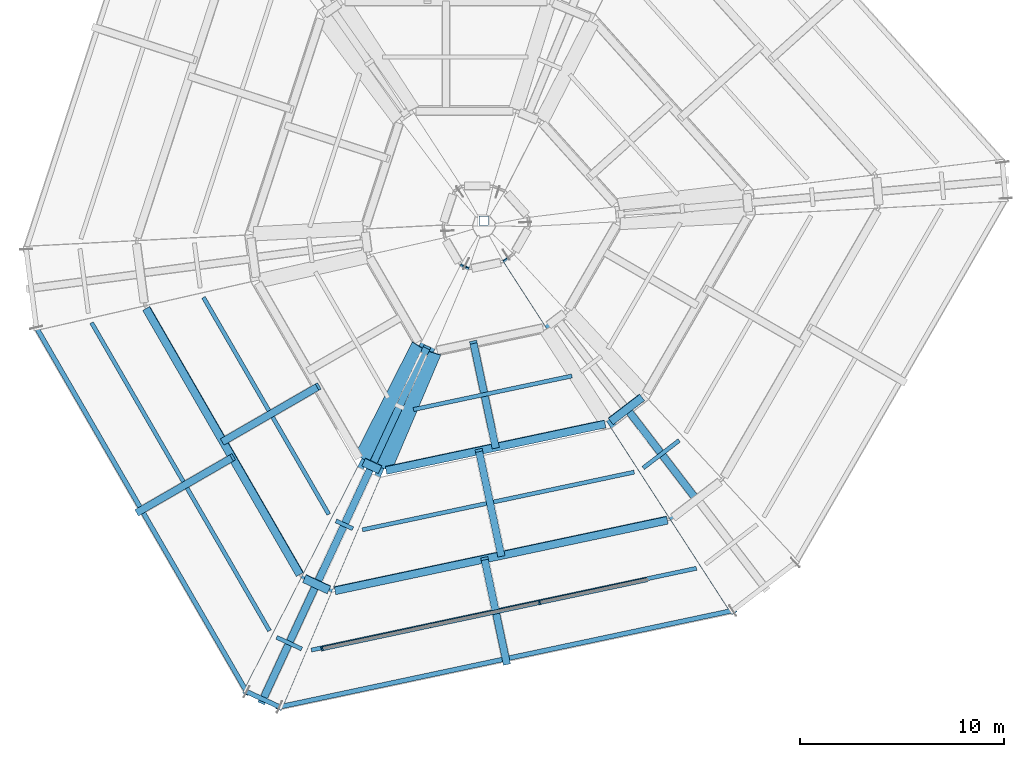
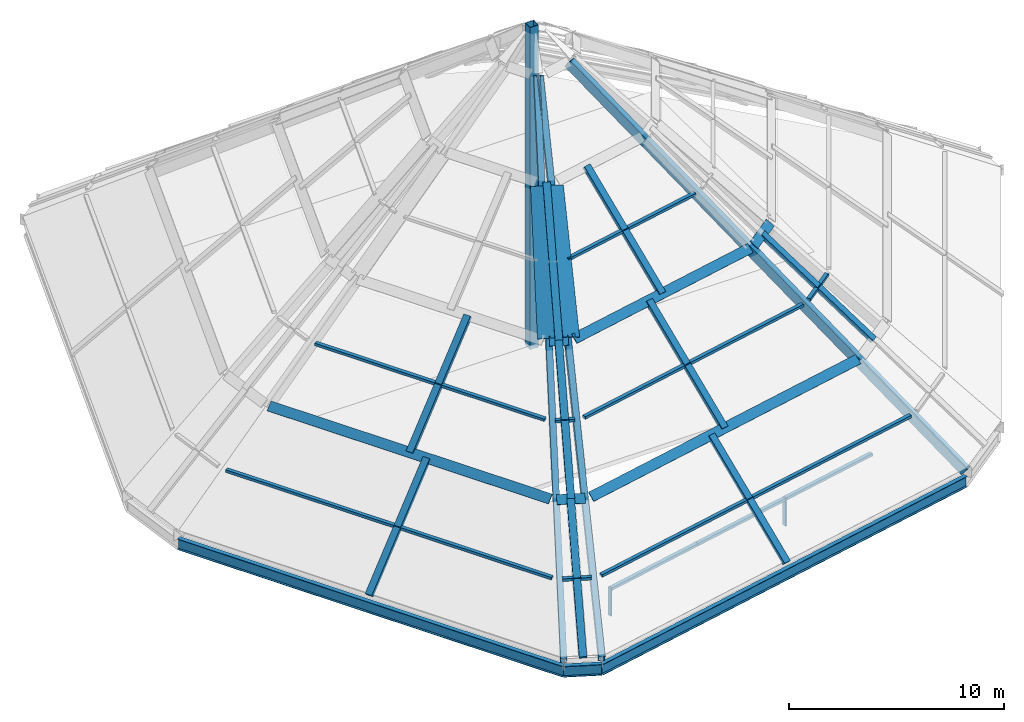
# One storey, part 1 of 10: 33 members, 3 beams, 1 column, 5 elements without a shape of their own.
"""IFC4 building model written with IfcOpenShell, lengths in metres."""

from ifc_helpers import new_model, si_unit, direction, frame, origin, origin_2d, place, context, subcontext, project, spatial, rectangle, hollow_rectangle, i_section, extrude, material, layer, layer_set, material_profile, profile_set, type_object, element, aggregate, save


model = new_model("IFC4")

# Units and contexts
model_context = context("Model", 3, precision=1e-05, world=origin(), true_north=direction((0.0, 1.0)))
body_context = subcontext(model_context, "Body", "Model", "MODEL_VIEW")
ifc_project = project(units=[si_unit("LENGTHUNIT", "METRE"), si_unit("AREAUNIT", "SQUARE_METRE"), si_unit("VOLUMEUNIT", "CUBIC_METRE"), si_unit("PLANEANGLEUNIT", "RADIAN"), si_unit("MASSUNIT", "GRAM", prefix="KILO")], contexts=[model_context])

# Site, building, storey
site_placement = place(None, origin())
site = spatial("IfcSite", under=ifc_project, at=site_placement, CompositionType="ELEMENT")
building_placement = place(site_placement, origin())
building = spatial("IfcBuilding", under=site, at=building_placement, Name="Isthmus Gate Tower", CompositionType="ELEMENT")
storey_placement = place(building_placement, frame((0.0, 0.0, 315.60009765625)))
storey = spatial("IfcBuildingStorey", under=building, at=storey_placement, Name="C4", CompositionType="ELEMENT", Elevation=315.60009765625)

# Column
ifc_material_1 = material(Name="Structural steel ASTM A500 Gr C", Category="steel")
ifc_material_profile_1 = material_profile(ifc_material_1, hollow_rectangle(XDim=0.457275390625, YDim=0.457275390625, WallThickness=0.017578125, at=origin_2d()), Name="HSS18X18X3/4")
ifc_profile_set_1 = profile_set([ifc_material_profile_1], Name="Structural steel ASTM A500 Gr C")
column_type = type_object("IfcColumnType", Name="CROWN MAST HSS18X18X3/4", PredefinedType="COLUMN", material=ifc_profile_set_1)
column_placement = place(storey_placement, frame((0.0, 0.25, -0.25), z_axis=(0.0, 0.0, 1.0), x_axis=(1.0, 0.0, 0.0)))
element("IfcColumn", 1, at=column_placement, inside=storey, type_object=column_type, Name="str-crownmast-C4-1", PredefinedType="COLUMN", context=body_context, shape_type="SweptSolid", body=[
    extrude(hollow_rectangle(XDim=0.457275390625, YDim=0.457275390625, WallThickness=0.017578125, at=origin_2d()), origin(), (0.0, 0.0, 1.0), 18.25),
])

# Beams
ifc_material_2 = material(Name="Structural steel ASTM A992 Gr 50", Category="steel")
ifc_material_profile_2 = material_profile(ifc_material_2, i_section(OverallWidth=0.231689453125, OverallDepth=0.615966796875, WebThickness=0.0126953125, FlangeThickness=0.022216796875, at=origin_2d()), Name="W24X94")
ifc_profile_set_2 = profile_set([ifc_material_profile_2], Name="Structural steel ASTM A992 Gr 50")
beam_type = type_object("IfcBeamType", Name="CROWN RING BEAM W24X94", PredefinedType="BEAM", material=ifc_profile_set_2)
beam_1_placement = place(storey_placement, frame((-21.949462890625, -4.982177734375, -0.55810546875), z_axis=(0.499996999955, -0.866027135854, 0.0), x_axis=(0.866027135854, 0.499996999955, 0.0)))
element("IfcBeam", 2, at=beam_1_placement, inside=storey, type_object=beam_type, Name="str-crownring-C4-04", PredefinedType="BEAM", context=body_context, shape_type="SweptSolid", body=[
    extrude(i_section(OverallWidth=0.231689453125, OverallDepth=0.615966796875, WebThickness=0.0126953125, FlangeThickness=0.022216796875, at=origin_2d()), origin(), (0.0, 0.0, 1.0), 20.629638671875),
])
beam_2_placement = place(storey_placement, frame((-11.634765625, -22.847900390625, -0.55810546875), z_axis=(0.907235278747, -0.420623524065, 0.0), x_axis=(0.420623524065, 0.907235278747, 0.0)))
element("IfcBeam", 3, at=beam_2_placement, inside=storey, type_object=beam_type, Name="str-crownring-C4-05", PredefinedType="BEAM", context=body_context, shape_type="SweptSolid", body=[
    extrude(i_section(OverallWidth=0.231689453125, OverallDepth=0.615966796875, WebThickness=0.0126953125, FlangeThickness=0.022216796875, at=origin_2d()), origin(), (0.0, 0.0, 1.0), 1.779541015625),
])
beam_3_placement = place(storey_placement, frame((-10.020263671875, -23.596435546875, -0.55810546875), z_axis=(0.978147166982, 0.207913731451, 0.0), x_axis=(-0.207913731451, 0.978147166982, 0.0)))
element("IfcBeam", 4, at=beam_3_placement, inside=storey, type_object=beam_type, Name="str-crownring-C4-06", PredefinedType="BEAM", context=body_context, shape_type="SweptSolid", body=[
    extrude(i_section(OverallWidth=0.231689453125, OverallDepth=0.615966796875, WebThickness=0.0126953125, FlangeThickness=0.022216796875, at=origin_2d()), origin(), (0.0, 0.0, 1.0), 22.732177734375),
])

# Curtain wall, members
ifc_material_3 = material(Name="Aluminium, pale champagne anodised", Category="aluminium")
ifc_layer_1 = layer(ifc_material_3, 0.199951171875)
ifc_layer_set_1 = layer_set([ifc_layer_1], Name="CW-4 ATRIUM CURTAIN WALL 200 DEEP")
curtain_wall_type_1 = type_object("IfcCurtainWallType", Name="CW-4 ATRIUM CURTAIN WALL 200 DEEP", PredefinedType="NOTDEFINED", material=ifc_layer_set_1)
curtain_wall_1_placement = place(storey_placement, origin())
curtain_wall_1 = element("IfcCurtainWall", 5, at=curtain_wall_1_placement, inside=storey, type_object=curtain_wall_type_1, Name="CW-4 atrium south C4", PredefinedType="NOTDEFINED")
ifc_material_4 = material(Name="Aluminium, pale champagne anodised", Category="aluminium")
ifc_material_profile_3 = material_profile(ifc_material_4, rectangle(XDim=0.080078125, YDim=0.199951171875, at=origin_2d()), Name="80x200")
ifc_profile_set_3 = profile_set([ifc_material_profile_3], Name="Aluminium, pale champagne anodised")
member_type_1 = type_object("IfcMemberType", Name="CW-4 MULLION 80 X 200", PredefinedType="MULLION", material=ifc_profile_set_3)
member_1_placement = place(storey_placement, frame((-7.9296875, -20.74951171875, 0.0), z_axis=(0.0, 0.0, 1.0), x_axis=(0.978147600734, 0.207911690818, 0.0)))
member_1 = element("IfcMember", 6, at=member_1_placement, type_object=member_type_1, Name="CW-4 mullion", PredefinedType="MULLION", context=body_context, shape_type="SweptSolid", body=[
    extrude(rectangle(XDim=0.080078125, YDim=0.199951171875, at=origin_2d()), origin(), (0.0, 0.0, 1.0), 1.5859375),
])
member_2_placement = place(storey_placement, frame((2.737060546875, -18.482177734375, 0.0), z_axis=(0.0, 0.0, 1.0), x_axis=(0.978147600734, 0.207911690818, 0.0)))
member_2 = element("IfcMember", 7, at=member_2_placement, type_object=member_type_1, Name="CW-4 mullion", PredefinedType="MULLION", context=body_context, shape_type="SweptSolid", body=[
    extrude(rectangle(XDim=0.080078125, YDim=0.199951171875, at=origin_2d()), origin(), (0.0, 0.0, 1.0), 1.5859375),
])
ifc_material_5 = material(Name="Aluminium, pale champagne anodised", Category="aluminium")
ifc_material_profile_4 = material_profile(ifc_material_5, rectangle(XDim=0.199951171875, YDim=0.14990234375, at=origin_2d()), Name="200x150")
ifc_profile_set_4 = profile_set([ifc_material_profile_4], Name="Aluminium, pale champagne anodised")
member_type_2 = type_object("IfcMemberType", Name="CW-4 TRANSOM 200 X 150", PredefinedType="USERDEFINED", material=ifc_profile_set_4)
member_3_placement = place(storey_placement, frame((-7.890625, -20.7412109375, 1.5107421875), z_axis=(0.978150188204, 0.207899517354, 0.0), x_axis=(-0.207899517354, 0.978150188204, 0.0)))
member_3 = element("IfcMember", 8, at=member_3_placement, type_object=member_type_2, Name="CW-4 transom", ObjectType="TRANSOM", PredefinedType="USERDEFINED", context=body_context, shape_type="SweptSolid", body=[
    extrude(rectangle(XDim=0.199951171875, YDim=0.14990234375, at=origin_2d()), origin(), (0.0, 0.0, 1.0), 5.37255859375),
])
member_4_placement = place(storey_placement, frame((-2.635498046875, -19.624267578125, 1.5107421875), z_axis=(0.9781412086, 0.207941761169, 0.0), x_axis=(-0.207941761169, 0.9781412086, 0.0)))
member_4 = element("IfcMember", 9, at=member_4_placement, type_object=member_type_2, Name="CW-4 transom", ObjectType="TRANSOM", PredefinedType="USERDEFINED", context=body_context, shape_type="SweptSolid", body=[
    extrude(rectangle(XDim=0.199951171875, YDim=0.14990234375, at=origin_2d()), origin(), (0.0, 0.0, 1.0), 5.452392578125),
])
member_5_placement = place(storey_placement, frame((2.776123046875, -18.473876953125, 1.5107421875), z_axis=(0.978150188204, 0.207899517354, 0.0), x_axis=(-0.207899517354, 0.978150188204, 0.0)))
member_5 = element("IfcMember", 10, at=member_5_placement, type_object=member_type_2, Name="CW-4 transom", ObjectType="TRANSOM", PredefinedType="USERDEFINED", context=body_context, shape_type="SweptSolid", body=[
    extrude(rectangle(XDim=0.199951171875, YDim=0.14990234375, at=origin_2d()), origin(), (0.0, 0.0, 1.0), 5.37255859375),
])
aggregate(curtain_wall_1, [member_1, member_3, member_4, member_2, member_5])

# Curtain wall, member
ifc_material_6 = material(Name="Aluminium, white powder-coated", Category="aluminium")
ifc_layer_2 = layer(ifc_material_6, 0.199951171875)
ifc_layer_set_2 = layer_set([ifc_layer_2], Name="CW-5 CROWN FACET CURTAIN WALL 200 DEEP")
curtain_wall_type_2 = type_object("IfcCurtainWallType", Name="CW-5 CROWN FACET CURTAIN WALL 200 DEEP", PredefinedType="NOTDEFINED", material=ifc_layer_set_2)
curtain_wall_2_placement = place(storey_placement, origin())
curtain_wall_2 = element("IfcCurtainWall", 11, at=curtain_wall_2_placement, inside=storey, type_object=curtain_wall_type_2, Name="CW-5 facet 6", PredefinedType="NOTDEFINED")
ifc_material_7 = material(Name="Aluminium, white powder-coated", Category="aluminium")
ifc_material_profile_5 = material_profile(ifc_material_7, rectangle(XDim=0.800048828125, YDim=0.0400390625, at=origin_2d()), Name="800x40")
ifc_profile_set_5 = profile_set([ifc_material_profile_5], Name="Aluminium, white powder-coated")
member_type_3 = type_object("IfcMemberType", Name="CW-5 HIP CAP 800 X 40", PredefinedType="USERDEFINED", material=ifc_profile_set_5)
placement_1 = place(building_placement, frame((0.0, 0.0, 324.60009765625)))
member_6_placement = place(placement_1, frame((-5.959228515625, -11.394775390625, 0.315673828125), z_axis=(0.371405299367, 0.729326168245, 0.574579362591), x_axis=(-0.834947420079, 0.533033888127, -0.136885645018)))
member_6 = element("IfcMember", 12, at=member_6_placement, type_object=member_type_3, Name="CW-5 hip cap", ObjectType="CAP BAR", PredefinedType="USERDEFINED", context=body_context, shape_type="SweptSolid", body=[
    extrude(rectangle(XDim=0.800048828125, YDim=0.0400390625, at=origin_2d()), origin(), (0.0, 0.0, 1.0), 7.53173828125),
])

curtain_wall_3_placement = place(storey_placement, origin())
curtain_wall_3 = element("IfcCurtainWall", 13, at=curtain_wall_3_placement, inside=storey, type_object=curtain_wall_type_2, Name="CW-5 facet 7", PredefinedType="NOTDEFINED")
member_7_placement = place(placement_1, frame((-4.89453125, -11.888671875, 0.3154296875), z_axis=(0.319870791678, 0.753302684323, 0.574645753854), x_axis=(-0.945903616711, 0.288666125087, 0.148115549895)))
member_7 = element("IfcMember", 14, at=member_7_placement, type_object=member_type_3, Name="CW-5 hip cap", ObjectType="CAP BAR", PredefinedType="USERDEFINED", context=body_context, shape_type="SweptSolid", body=[
    extrude(rectangle(XDim=0.800048828125, YDim=0.0400390625, at=origin_2d()), origin(), (0.0, 0.0, 1.0), 7.531005859375),
])

# Curtain wall, members
curtain_wall_4_placement = place(storey_placement, origin())
curtain_wall_4 = element("IfcCurtainWall", 15, at=curtain_wall_4_placement, inside=storey, type_object=curtain_wall_type_2, Name="CW-5 facet 5", PredefinedType="NOTDEFINED")
ifc_material_8 = material(Name="Aluminium, white powder-coated", Category="aluminium")
ifc_material_profile_6 = material_profile(ifc_material_8, rectangle(XDim=0.360107421875, YDim=0.199951171875, at=origin_2d()), Name="360x200")
ifc_profile_set_6 = profile_set([ifc_material_profile_6], Name="Aluminium, white powder-coated")
member_type_4 = type_object("IfcMemberType", Name="CW-5 RIB MULLION 360 X 200", PredefinedType="MULLION", material=ifc_profile_set_6)
member_8_placement = place(storey_placement, frame((-16.97265625, -14.046142578125, 0.240966796875), z_axis=(0.663982092614, 0.383463066284, 0.641937580675), x_axis=(-0.50011035658, 0.865961680007, 0.0)))
member_8 = element("IfcMember", 16, at=member_8_placement, type_object=member_type_4, Name="CW-5 rib mullion", PredefinedType="MULLION", context=body_context, shape_type="SweptSolid", body=[
    extrude(rectangle(XDim=0.360107421875, YDim=0.199951171875, at=origin_2d()), origin(), (0.0, 0.0, 1.0), 7.010498046875),
])
placement_2 = place(building_placement, frame((0.0, 0.0, 320.10009765625)))
member_9_placement = place(placement_2, frame((-12.7744140625, -10.5673828125, 0.240966796875), z_axis=(0.663953752686, 0.383501637796, 0.641943851207), x_axis=(-0.500164085833, 0.865930648056, 0.0)))
member_9 = element("IfcMember", 17, at=member_9_placement, type_object=member_type_4, Name="CW-5 rib mullion", PredefinedType="MULLION", context=body_context, shape_type="SweptSolid", body=[
    extrude(rectangle(XDim=0.360107421875, YDim=0.199951171875, at=origin_2d()), origin(), (0.0, 0.0, 1.0), 7.01025390625),
])

# Member
member_10_placement = place(storey_placement, frame((-10.896240234375, -23.372314453125, 0.2421875), z_axis=(0.344302112258, 0.742307869201, 0.574834830901), x_axis=(-0.907167994218, 0.420768618443, 0.0)))
member_10 = element("IfcMember", 18, at=member_10_placement, type_object=member_type_4, Name="CW-5 rib mullion", PredefinedType="MULLION", context=body_context, shape_type="SweptSolid", body=[
    extrude(rectangle(XDim=0.360107421875, YDim=0.199951171875, at=origin_2d()), origin(), (0.0, 0.0, 1.0), 7.828369140625),
])

member_11_placement = place(placement_2, frame((-8.189208984375, -17.566650390625, 0.2421875), z_axis=(0.344310083029, 0.742293866502, 0.574848138623), x_axis=(-0.907161246088, 0.42078316696, 0.0)))
member_11 = element("IfcMember", 19, at=member_11_placement, type_object=member_type_4, Name="CW-5 rib mullion", PredefinedType="MULLION", context=body_context, shape_type="SweptSolid", body=[
    extrude(rectangle(XDim=0.360107421875, YDim=0.199951171875, at=origin_2d()), origin(), (0.0, 0.0, 1.0), 7.828125),
])

member_12_placement = place(placement_1, frame((-5.482421875, -11.76123046875, 0.2421875), z_axis=(0.344400522167, 0.742255947441, 0.574842925346), x_axis=(-0.907110844886, 0.420891809247, 0.0)))
member_12 = element("IfcMember", 20, at=member_12_placement, type_object=member_type_4, Name="CW-5 rib mullion", PredefinedType="MULLION", context=body_context, shape_type="SweptSolid", body=[
    extrude(rectangle(XDim=0.360107421875, YDim=0.199951171875, at=origin_2d()), origin(), (0.0, 0.0, 1.0), 7.828125),
])

member_13_placement = place(storey_placement, frame((1.1259765625, -21.45654296875, 0.240234375), z_axis=(-0.157689351379, 0.742651170523, 0.650848144641), x_axis=(-0.978192052107, -0.207702453512, 0.0)))
member_13 = element("IfcMember", 21, at=member_13_placement, type_object=member_type_4, Name="CW-5 rib mullion", PredefinedType="MULLION", context=body_context, shape_type="SweptSolid", body=[
    extrude(rectangle(XDim=0.360107421875, YDim=0.199951171875, at=origin_2d()), origin(), (0.0, 0.0, 1.0), 6.91455078125),
])

member_14_placement = place(placement_2, frame((0.8515625, -16.148193359375, 0.240234375), z_axis=(-0.157650786188, 0.742671139234, 0.650834701412), x_axis=(-0.978203505618, -0.207648504925, 0.0)))
member_14 = element("IfcMember", 22, at=member_14_placement, type_object=member_type_4, Name="CW-5 rib mullion", PredefinedType="MULLION", context=body_context, shape_type="SweptSolid", body=[
    extrude(rectangle(XDim=0.360107421875, YDim=0.199951171875, at=origin_2d()), origin(), (0.0, 0.0, 1.0), 6.91455078125),
])

member_15_placement = place(placement_1, frame((0.577392578125, -10.840087890625, 0.240234375), z_axis=(-0.157570038931, 0.742694003797, 0.650828164384), x_axis=(-0.978226401252, -0.207540617455, 0.0)))
member_15 = element("IfcMember", 23, at=member_15_placement, type_object=member_type_4, Name="CW-5 rib mullion", PredefinedType="MULLION", context=body_context, shape_type="SweptSolid", body=[
    extrude(rectangle(XDim=0.360107421875, YDim=0.199951171875, at=origin_2d()), origin(), (0.0, 0.0, 1.0), 6.9150390625),
])

# Curtain wall, member
curtain_wall_5_placement = place(storey_placement, origin())
curtain_wall_5 = element("IfcCurtainWall", 24, at=curtain_wall_5_placement, inside=storey, type_object=curtain_wall_type_2, Name="CW-5 facet 8", PredefinedType="NOTDEFINED")
member_16_placement = place(placement_2, frame((10.424560546875, -13.411376953125, 0.239013671875), z_axis=(-0.474090875027, 0.618927438037, 0.626232120432), x_axis=(-0.79386650839, -0.608092071036, 0.0)))
member_16 = element("IfcMember", 25, at=member_16_placement, type_object=member_type_4, Name="CW-5 rib mullion", PredefinedType="MULLION", context=body_context, shape_type="SweptSolid", body=[
    extrude(rectangle(XDim=0.360107421875, YDim=0.199951171875, at=origin_2d()), origin(), (0.0, 0.0, 1.0), 7.185791015625),
])

# Member
ifc_material_9 = material(Name="Aluminium, white powder-coated", Category="aluminium")
ifc_material_profile_7 = material_profile(ifc_material_9, rectangle(XDim=0.5, YDim=0.0400390625, at=origin_2d()), Name="500x40")
ifc_profile_set_7 = profile_set([ifc_material_profile_7], Name="Aluminium, white powder-coated")
member_type_5 = type_object("IfcMemberType", Name="CW-5 STAGE CAP 500 X 40", PredefinedType="USERDEFINED", material=ifc_profile_set_7)
member_17_placement = place(storey_placement, frame((-16.55517578125, -4.048095703125, 4.755126953125), z_axis=(0.500187454341, -0.865917134767, 0.000161977803), x_axis=(0.663896617124, 0.383612617204, 0.641936633706)))
member_17 = element("IfcMember", 26, at=member_17_placement, type_object=member_type_5, Name="CW-5 stage cap", ObjectType="CAP BAR", PredefinedType="USERDEFINED", context=body_context, shape_type="SweptSolid", body=[
    extrude(rectangle(XDim=0.5, YDim=0.0400390625, at=origin_2d()), origin(), (0.0, 0.0, 1.0), 15.072509765625),
])

member_18_placement = place(storey_placement, frame((-8.798828125, -17.296630859375, 4.7587890625), z_axis=(0.907153777169, -0.420799228893, -0.000183115417), x_axis=(0.344420148765, 0.742246550775, 0.574843299506)))
member_18 = element("IfcMember", 27, at=member_18_placement, type_object=member_type_5, Name="CW-5 stage cap", ObjectType="CAP BAR", PredefinedType="USERDEFINED", context=body_context, shape_type="SweptSolid", body=[
    extrude(rectangle(XDim=0.5, YDim=0.0400390625, at=origin_2d()), origin(), (0.0, 0.0, 1.0), 1.333251953125),
])

member_19_placement = place(placement_2, frame((-5.89013671875, -11.584716796875, 4.7587890625), z_axis=(0.907177558643, -0.420747907386, -0.000274819012), x_axis=(0.344425990571, 0.742243861269, 0.574843272055)))
member_19 = element("IfcMember", 28, at=member_19_placement, type_object=member_type_5, Name="CW-5 stage cap", ObjectType="CAP BAR", PredefinedType="USERDEFINED", context=body_context, shape_type="SweptSolid", body=[
    extrude(rectangle(XDim=0.5, YDim=0.0400390625, at=origin_2d()), origin(), (0.0, 0.0, 1.0), 0.888427734375),
])

member_20_placement = place(storey_placement, frame((-7.299072265625, -17.891845703125, 4.75732421875), z_axis=(0.978202019488, 0.207655389552, -0.000219679162), x_axis=(-0.157515589399, 0.742697040054, 0.650837879807)))
member_20 = element("IfcMember", 29, at=member_20_placement, type_object=member_type_5, Name="CW-5 stage cap", ObjectType="CAP BAR", PredefinedType="USERDEFINED", context=body_context, shape_type="SweptSolid", body=[
    extrude(rectangle(XDim=0.5, YDim=0.0400390625, at=origin_2d()), origin(), (0.0, 0.0, 1.0), 16.670166015625),
])

member_21_placement = place(placement_2, frame((-4.7939453125, -11.992919921875, 4.75732421875), z_axis=(0.978226005712, 0.207542214146, -0.000333311907), x_axis=(-0.157357324861, 0.742730629534, 0.650837832539)))
member_21 = element("IfcMember", 30, at=member_21_placement, type_object=member_type_5, Name="CW-5 stage cap", ObjectType="CAP BAR", PredefinedType="USERDEFINED", context=body_context, shape_type="SweptSolid", body=[
    extrude(rectangle(XDim=0.5, YDim=0.0400390625, at=origin_2d()), origin(), (0.0, 0.0, 1.0), 10.987060546875),
])

member_22_placement = place(placement_2, frame((6.224609375, -9.58740234375, 4.754150390625), z_axis=(0.793746094962, 0.608249030409, 0.000503725905), x_axis=(-0.474462567929, 0.618640295709, 0.62623434604)))
member_22 = element("IfcMember", 31, at=member_22_placement, type_object=member_type_5, Name="CW-5 stage cap", ObjectType="CAP BAR", PredefinedType="USERDEFINED", context=body_context, shape_type="SweptSolid", body=[
    extrude(rectangle(XDim=0.5, YDim=0.0400390625, at=origin_2d()), origin(), (0.0, 0.0, 1.0), 1.938720703125),
])

ifc_material_10 = material(Name="Aluminium, white powder-coated", Category="aluminium")
ifc_material_profile_8 = material_profile(ifc_material_10, rectangle(XDim=0.199951171875, YDim=0.14990234375, at=origin_2d()), Name="200x150")
ifc_profile_set_8 = profile_set([ifc_material_profile_8], Name="Aluminium, white powder-coated")
member_type_6 = type_object("IfcMemberType", Name="CW-5 TRANSOM 200 X 150", PredefinedType="USERDEFINED", material=ifc_profile_set_8)
member_23_placement = place(storey_placement, frame((-19.237548828125, -4.751220703125, 2.48974609375), z_axis=(0.50015032269, -0.865938583867, 0.000153892407), x_axis=(0.865938594121, 0.500150328613, 0.0)))
member_23 = element("IfcMember", 32, at=member_23_placement, type_object=member_type_6, Name="CW-5 transom", ObjectType="TRANSOM", PredefinedType="USERDEFINED", context=body_context, shape_type="SweptSolid", body=[
    extrude(rectangle(XDim=0.199951171875, YDim=0.14990234375, at=origin_2d()), origin(), (0.0, 0.0, 1.0), 17.450927734375),
])

member_24_placement = place(placement_2, frame((-13.750244140625, -3.505615234375, 2.48974609375), z_axis=(0.500214058612, -0.865901754153, 0.000218451431), x_axis=(0.865901774814, 0.500214070548, 0.0)))
member_24 = element("IfcMember", 33, at=member_24_placement, type_object=member_type_6, Name="CW-5 transom", ObjectType="TRANSOM", PredefinedType="USERDEFINED", context=body_context, shape_type="SweptSolid", body=[
    extrude(rectangle(XDim=0.199951171875, YDim=0.14990234375, at=origin_2d()), origin(), (0.0, 0.0, 1.0), 12.29345703125),
])

aggregate(curtain_wall_4, [member_17, member_8, member_23, member_9, member_24])

member_25_placement = place(storey_placement, frame((-10.15771484375, -20.184326171875, 2.492431640625), z_axis=(0.907220092164, -0.420656239638, -0.000180075445), x_axis=(0.420656246458, 0.907220106874, 0.0)))
member_25 = element("IfcMember", 34, at=member_25_placement, type_object=member_type_6, Name="CW-5 transom", ObjectType="TRANSOM", PredefinedType="USERDEFINED", context=body_context, shape_type="SweptSolid", body=[
    extrude(rectangle(XDim=0.199951171875, YDim=0.14990234375, at=origin_2d()), origin(), (0.0, 0.0, 1.0), 1.355712890625),
])

member_26_placement = place(placement_2, frame((-7.2490234375, -14.47216796875, 2.492431640625), z_axis=(0.907173376831, -0.420756928102, -0.000267998043), x_axis=(0.420756943212, 0.907173409409, 0.0)))
member_26 = element("IfcMember", 35, at=member_26_placement, type_object=member_type_6, Name="CW-5 transom", ObjectType="TRANSOM", PredefinedType="USERDEFINED", context=body_context, shape_type="SweptSolid", body=[
    extrude(rectangle(XDim=0.199951171875, YDim=0.14990234375, at=origin_2d()), origin(), (0.0, 0.0, 1.0), 0.910888671875),
])

aggregate(curtain_wall_2, [member_18, member_19, member_10, member_25, member_11, member_26, member_12, member_6])

member_27_placement = place(storey_placement, frame((-8.45654296875, -20.807861328125, 2.4921875), z_axis=(0.978193260473, 0.207696664034, -0.000202273213), x_axis=(-0.207696668283, 0.978193280484, 0.0)))
member_27 = element("IfcMember", 36, at=member_27_placement, type_object=member_type_6, Name="CW-5 transom", ObjectType="TRANSOM", PredefinedType="USERDEFINED", context=body_context, shape_type="SweptSolid", body=[
    extrude(rectangle(XDim=0.199951171875, YDim=0.14990234375, at=origin_2d()), origin(), (0.0, 0.0, 1.0), 19.311767578125),
])

member_28_placement = place(placement_2, frame((-5.951416015625, -14.908935546875, 2.4921875), z_axis=(0.978209726349, 0.207618999916, -0.000286618119), x_axis=(-0.207619008443, 0.978209766529, 0.0)))
member_28 = element("IfcMember", 37, at=member_28_placement, type_object=member_type_6, Name="CW-5 transom", ObjectType="TRANSOM", PredefinedType="USERDEFINED", context=body_context, shape_type="SweptSolid", body=[
    extrude(rectangle(XDim=0.199951171875, YDim=0.14990234375, at=origin_2d()), origin(), (0.0, 0.0, 1.0), 13.628662109375),
])

member_29_placement = place(placement_1, frame((-3.4462890625, -9.009765625, 2.4921875), z_axis=(0.978254603712, 0.207407060183, -0.00049163155), x_axis=(-0.207407085249, 0.978254721935, 0.0)))
member_29 = element("IfcMember", 38, at=member_29_placement, type_object=member_type_6, Name="CW-5 transom", ObjectType="TRANSOM", PredefinedType="USERDEFINED", context=body_context, shape_type="SweptSolid", body=[
    extrude(rectangle(XDim=0.199951171875, YDim=0.14990234375, at=origin_2d()), origin(), (0.0, 0.0, 1.0), 7.945556640625),
])

aggregate(curtain_wall_3, [member_20, member_21, member_13, member_27, member_14, member_28, member_15, member_29, member_7])

member_30_placement = place(placement_2, frame((7.8232421875, -11.87548828125, 2.48828125), z_axis=(0.793855408423, 0.608106204653, 0.000659074644), x_axis=(-0.608106336728, 0.79385558084, 0.0)))
member_30 = element("IfcMember", 39, at=member_30_placement, type_object=member_type_6, Name="CW-5 transom", ObjectType="TRANSOM", PredefinedType="USERDEFINED", context=body_context, shape_type="SweptSolid", body=[
    extrude(rectangle(XDim=0.199951171875, YDim=0.14990234375, at=origin_2d()), origin(), (0.0, 0.0, 1.0), 2.22265625),
])

aggregate(curtain_wall_5, [member_22, member_16, member_30])

# Members
ifc_material_11 = material(Name="Structural steel ASTM A500 Gr C", Category="steel")
ifc_material_profile_9 = material_profile(ifc_material_11, hollow_rectangle(XDim=0.3046875, YDim=0.508056640625, WallThickness=0.014892578125, at=origin_2d()), Name="HSS20X12X5/8")
ifc_profile_set_9 = profile_set([ifc_material_profile_9], Name="Structural steel ASTM A500 Gr C")
member_type_7 = type_object("IfcMemberType", Name="PYRAMID RIB HSS20X12X5/8", PredefinedType="RAFTER", material=ifc_profile_set_9)
member_31_placement = place(storey_placement, frame((-11.634765625, -22.847900390625, 0.0), z_axis=(0.37139287779, 0.729333850145, 0.574577640845), x_axis=(-0.891115863167, 0.453775845999, 0.0)))
element("IfcMember", 40, at=member_31_placement, inside=storey, type_object=member_type_7, Name="str-crownhip-C4-05", PredefinedType="RAFTER", context=body_context, shape_type="SweptSolid", body=[
    extrude(hollow_rectangle(XDim=0.3046875, YDim=0.508056640625, WallThickness=0.014892578125, at=origin_2d()), origin(), (0.0, 0.0, 1.0), 28.82080078125),
])
member_32_placement = place(storey_placement, frame((-10.020263671875, -23.596435546875, 0.0), z_axis=(0.319894572067, 0.75330258087, 0.574632651715), x_axis=(-0.920444811647, 0.390872547912, 0.0)))
element("IfcMember", 41, at=member_32_placement, inside=storey, type_object=member_type_7, Name="str-crownhip-C4-06", PredefinedType="RAFTER", context=body_context, shape_type="SweptSolid", body=[
    extrude(hollow_rectangle(XDim=0.3046875, YDim=0.508056640625, WallThickness=0.014892578125, at=origin_2d()), origin(), (0.0, 0.0, 1.0), 28.818115234375),
])
member_33_placement = place(storey_placement, frame((12.215087890625, -18.8701171875, 0.0), z_axis=(-0.424171644977, 0.65527746041, 0.625051890227), x_axis=(-0.839471640074, -0.543403501563, 0.0)))
element("IfcMember", 42, at=member_33_placement, inside=storey, type_object=member_type_7, Name="str-crownhip-C4-07", PredefinedType="RAFTER", context=body_context, shape_type="SweptSolid", body=[
    extrude(hollow_rectangle(XDim=0.3046875, YDim=0.508056640625, WallThickness=0.014892578125, at=origin_2d()), origin(), (0.0, 0.0, 1.0), 26.493408203125),
])

save(model, "model.ifc")
